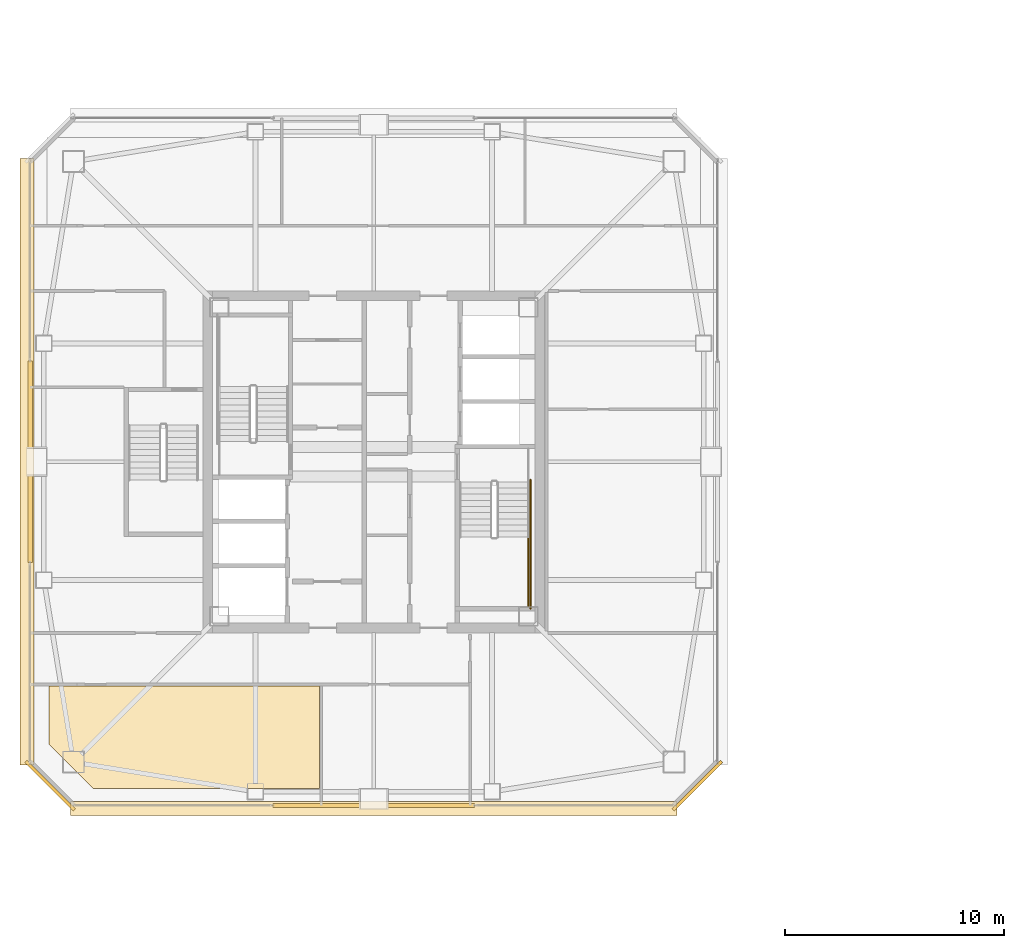
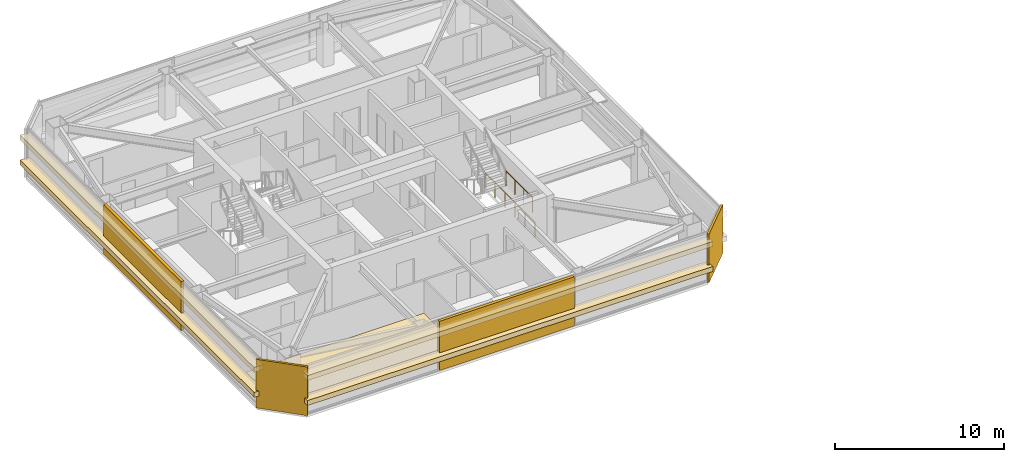
# One storey, part 34 of 39: 9 coverings, 2 railings.
"""IFC4 building model written with IfcOpenShell, lengths in metres."""

from ifc_helpers import new_model, si_unit, direction, frame, origin, origin_2d, place, context, subcontext, project, spatial, polyline, rectangle, outline, extrude, material, layer, layer_set, type_object, element, save


model = new_model("IFC4")

# Units and contexts
model_context = context("Model", 3, precision=1e-05, world=origin(), true_north=direction((0.0, 1.0)))
body_context = subcontext(model_context, "Body", "Model", "MODEL_VIEW")
ifc_project = project(units=[si_unit("LENGTHUNIT", "METRE"), si_unit("AREAUNIT", "SQUARE_METRE"), si_unit("VOLUMEUNIT", "CUBIC_METRE"), si_unit("PLANEANGLEUNIT", "RADIAN"), si_unit("MASSUNIT", "GRAM", prefix="KILO")], contexts=[model_context])

# Site, building, storey
site_placement = place(None, origin())
site = spatial("IfcSite", under=ifc_project, at=site_placement, CompositionType="ELEMENT")
building_placement = place(site_placement, origin())
building = spatial("IfcBuilding", under=site, at=building_placement, Name="Tashvorn Skyway Center", CompositionType="ELEMENT")
storey_placement = place(building_placement, frame((0.0, 0.0, 243.25)))
storey = spatial("IfcBuildingStorey", under=building, at=storey_placement, Name="L66", CompositionType="ELEMENT", Elevation=243.25)

# Coverings
ifc_material_1 = material(Name="Precast concrete C40/50", Category="concrete")
ifc_layer_1 = layer(ifc_material_1, 0.199951171875)
ifc_layer_set_1 = layer_set([ifc_layer_1], Name="Precast concrete C40/50")
covering_type_1 = type_object("IfcCoveringType", Name="COV-BRACE-CLAD", PredefinedType="CLADDING", material=ifc_layer_set_1)
for number, where, z_axis, x_axis, name in (
    (1, (42.0, 16.320068359375, 0.0), (0.0, 0.0, 1.0), (-1.0, 0.0, 0.0), "Tower 1 L66 South Unitised Curtain Wall Mega-Brace Cladding Band 1"),
    (2, (26.320068359375, 32.0, 0.0), (0.0, 0.0, 1.0), (0.0, 1.0, 0.0), "Tower 1 L66 West Unitised Curtain Wall Mega-Brace Cladding Band 1"),
):
    element("IfcCovering", number, at=place(storey_placement, frame(where, z_axis=z_axis, x_axis=x_axis)), inside=storey, type_object=covering_type_1, Name=name, PredefinedType="CLADDING", context=body_context, shape_type="SweptSolid", body=[
        extrude(rectangle(XDim=9.1865234375, YDim=0.199951171875, at=origin_2d()), origin(), (0.0, 0.0, 1.0), 3.550048828125),
    ])
ifc_material_2 = material(Name="Polished Mojave desert-aggregate terrazzo and cover plate")
ifc_layer_2 = layer(ifc_material_2, 0.0400390625)
ifc_layer_set_2 = layer_set([ifc_layer_2], Name="Polished Mojave desert-aggregate terrazzo and cover plate")
covering_type_2 = type_object("IfcCoveringType", Name="COV-FLR-40", PredefinedType="FLOORING", material=ifc_layer_set_2)
covering_placement = place(storey_placement, origin())
element("IfcCovering", 3, at=covering_placement, inside=storey, type_object=covering_type_2, Name="Tower 1 L66 Operations Control Room Finish Flooring", PredefinedType="FLOORING", context=body_context, shape_type="SweptSolid", body=[
    extrude(outline(polyline([(29.199951171875, 17.10009765625), (27.179931640625, 19.1201171875), (27.179931640625, 21.77001953125), (39.52001953125, 21.77001953125), (39.52001953125, 17.10009765625), (29.199951171875, 17.10009765625)])), origin(), (0.0, 0.0, 1.0), 0.0400390625),
])
ifc_material_3 = material(Name="Perforated ceramic-coated bronze aluminium solar screen", Category="aluminium")
ifc_layer_3 = layer(ifc_material_3, 0.85009765625)
ifc_layer_set_3 = layer_set([ifc_layer_3], Name="Perforated ceramic-coated bronze aluminium solar screen")
covering_type_3 = type_object("IfcCoveringType", Name="COV-SOLAR-BAND", PredefinedType="CLADDING", material=ifc_layer_set_3)
for number, where, z_axis, x_axis, name in (
    (4, (42.0, 16.179931640625, 0.919921875), (0.0, 0.0, 1.0), (-1.0, 0.0, 0.0), "L66 Perforated Ceramic-Metal Solar Screen Louvre Band South 1"),
    (5, (42.0, 16.179931640625, 2.7197265625), (0.0, 0.0, 1.0), (-1.0, 0.0, 0.0), "L66 Perforated Ceramic-Metal Solar Screen Louvre Band South 2"),
    (6, (26.179931640625, 32.0, 0.919921875), (0.0, 0.0, 1.0), (0.0, 1.0, 0.0), "L66 Perforated Ceramic-Metal Solar Screen Louvre Band West 1"),
    (7, (26.179931640625, 32.0, 2.7197265625), (0.0, 0.0, 1.0), (0.0, 1.0, 0.0), "L66 Perforated Ceramic-Metal Solar Screen Louvre Band West 2"),
):
    element("IfcCovering", number, at=place(storey_placement, frame(where, z_axis=z_axis, x_axis=x_axis)), inside=storey, type_object=covering_type_3, Name=name, PredefinedType="CLADDING", context=body_context, shape_type="SweptSolid", body=[
        extrude(rectangle(XDim=27.679931640625, YDim=0.639892578125, at=origin_2d()), origin(), (0.0, 0.0, 1.0), 0.360107421875),
    ])
ifc_layer_4 = layer(ifc_material_1, 0.35009765625)
ifc_layer_set_4 = layer_set([ifc_layer_4], Name="Precast concrete C40/50")
covering_type_4 = type_object("IfcCoveringType", Name="COV-STONE-TRIM", PredefinedType="CLADDING", material=ifc_layer_set_4)
for number, where, z_axis, x_axis, name in (
    (8, (27.22998046875, 17.22998046875, 0.02001953125), (0.0, 0.0, 1.0), (-0.707106781187, 0.707106781187, 0.0), "Tower 1 L66 SW Mojave Limestone Corner Quoin"),
    (9, (56.77001953125, 17.22998046875, 0.02001953125), (0.0, 0.0, 1.0), (0.707106781187, 0.707106781187, 0.0), "Tower 1 L66 SE Mojave Limestone Corner Quoin"),
):
    element("IfcCovering", number, at=place(storey_placement, frame(where, z_axis=z_axis, x_axis=x_axis)), inside=storey, type_object=covering_type_4, Name=name, PredefinedType="CLADDING", context=body_context, shape_type="SweptSolid", body=[
        extrude(rectangle(XDim=3.1298828125, YDim=0.139892578125, at=origin_2d()), origin(), (0.0, 0.0, 1.0), 3.510009765625),
    ])

# Railings
ifc_material_4 = material(Name="Painted galvanized steel S355", Category="steel")
railing_type = type_object("IfcRailingType", Name="RAIL-STGUARD-1100", PredefinedType="GUARDRAIL", material=ifc_material_4)
railing_1_placement = place(storey_placement, frame((49.050048828125, 28.56005859375, 1.77490234375)))
element("IfcRailing", 10, at=railing_1_placement, inside=storey, type_object=railing_type, Name="L66 ST-T1-2 stair guard 3", PredefinedType="GUARDRAIL", context=body_context, shape_type="SweptSolid", body=[
    extrude(rectangle(XDim=0.048095703125, YDim=0.048095703125, at=origin_2d()), frame((0.0, 0.0, 1.076171875), z_axis=(0.0, -1.0, 0.0), x_axis=(1.0, 0.0, 0.0)), (0.0, 0.0, 1.0), 3.16015625),
    extrude(rectangle(XDim=0.0419921875, YDim=0.0419921875, at=origin_2d()), origin(), (0.0, 0.0, 1.0), 1.052001953125),
    extrude(rectangle(XDim=0.0419921875, YDim=0.0419921875, at=origin_2d()), frame((0.0, -1.053466796875, 0.0)), (0.0, 0.0, 1.0), 1.052001953125),
    extrude(rectangle(XDim=0.0419921875, YDim=0.0419921875, at=origin_2d()), frame((0.0, -2.106689453125, 0.0)), (0.0, 0.0, 1.0), 1.052001953125),
    extrude(rectangle(XDim=0.0419921875, YDim=0.0419921875, at=origin_2d()), frame((0.0, -3.16015625, 0.0)), (0.0, 0.0, 1.0), 1.052001953125),
])
railing_2_placement = place(storey_placement, frame((49.14990234375, 31.179931640625, 0.0)))
element("IfcRailing", 11, at=railing_2_placement, inside=storey, type_object=railing_type, Name="L66 ST-T1-2 stair guard 7", PredefinedType="GUARDRAIL", context=body_context, shape_type="SweptSolid", body=[
    extrude(rectangle(XDim=0.048095703125, YDim=0.048095703125, at=origin_2d()), frame((0.0, 0.0, 1.076171875), z_axis=(0.0, -1.0, 0.0), x_axis=(1.0, 0.0, 0.0)), (0.0, 0.0, 1.0), 5.8798828125),
    extrude(rectangle(XDim=0.0419921875, YDim=0.0419921875, at=origin_2d()), origin(), (0.0, 0.0, 1.0), 1.052001953125),
    extrude(rectangle(XDim=0.0419921875, YDim=0.0419921875, at=origin_2d()), frame((0.0, -1.176025390625, 0.0)), (0.0, 0.0, 1.0), 1.052001953125),
    extrude(rectangle(XDim=0.0419921875, YDim=0.0419921875, at=origin_2d()), frame((0.0, -2.35205078125, 0.0)), (0.0, 0.0, 1.0), 1.052001953125),
    extrude(rectangle(XDim=0.0419921875, YDim=0.0419921875, at=origin_2d()), frame((0.0, -3.52783203125, 0.0)), (0.0, 0.0, 1.0), 1.052001953125),
    extrude(rectangle(XDim=0.0419921875, YDim=0.0419921875, at=origin_2d()), frame((0.0, -4.703857421875, 0.0)), (0.0, 0.0, 1.0), 1.052001953125),
    extrude(rectangle(XDim=0.0419921875, YDim=0.0419921875, at=origin_2d()), frame((0.0, -5.8798828125, 0.0)), (0.0, 0.0, 1.0), 1.052001953125),
])

save(model, "model.ifc")
